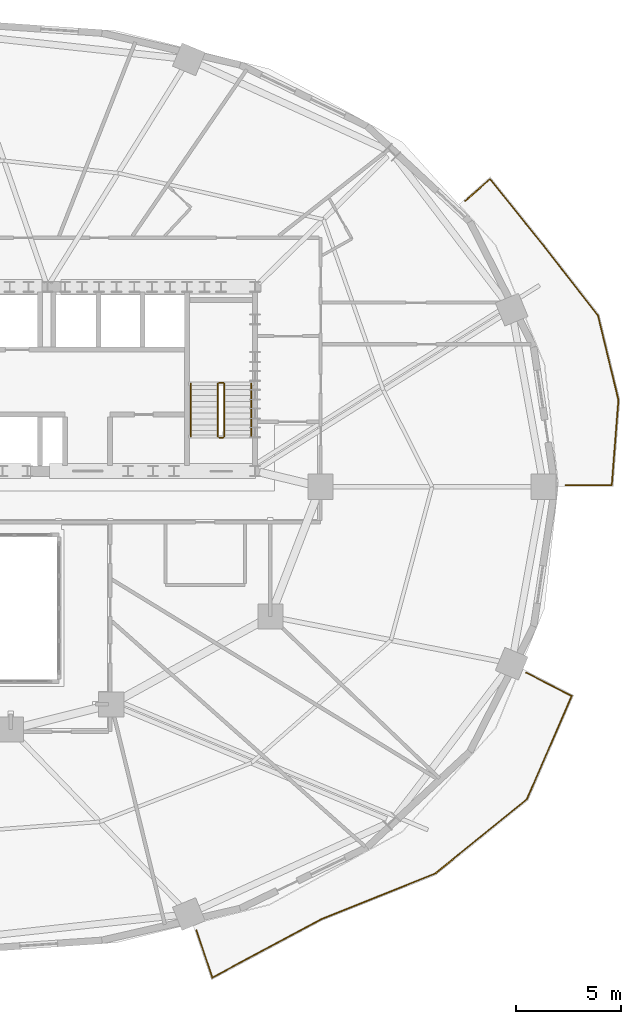
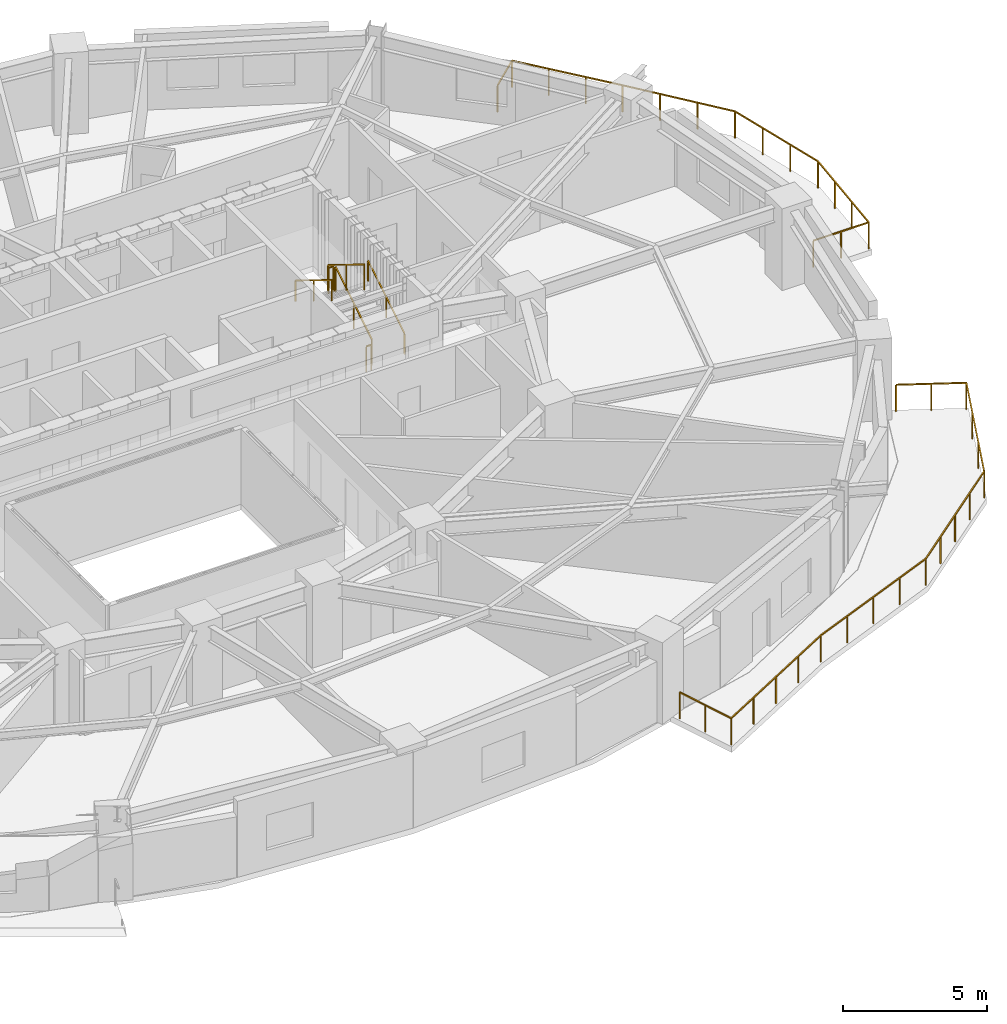
# One storey, part 14 of 14: 8 railings.
"""IFC4 building model written with IfcOpenShell, lengths in metres."""

import ifcopenshell
import ifcopenshell.guid

model = None  # the IFC model being written
_history = None  # IfcOwnerHistory: only IFC2X3 demands one
_inside = {}  # id of a spatial element -> (the spatial element, [elements in it])
_under = {}  # id of a project, library or spatial element -> (it, [spatial elements below it])
_declared = {}  # id of a project -> (the project, [libraries it declares])
_typed = {}  # id of a type object -> (the type object, [elements of that type])
_made_of = {}  # id of a material, layer set ... -> (it, [elements and type objects made of it])


def new_model(schema):
    """Start an empty IFC model of exactly this schema.

    Asked for "IFC4X3", IfcOpenShell would pick the latest addendum, in which some entities
    have other attributes; the version numbers below select the first issue.
    IFC2X3 requires an IfcOwnerHistory on every rooted entity: one is made here for all.
    """
    global model, _history
    if schema == "IFC4X3":
        model = ifcopenshell.file(schema_version=(4, 3, 0, 0))
    else:
        model = ifcopenshell.file(schema=schema)
    _inside.clear()
    _under.clear()
    _declared.clear()
    _typed.clear()
    _made_of.clear()
    _history = None
    if model.schema == "IFC2X3":
        org = make("IfcOrganization", Name="unknown")
        user = make(
            "IfcPersonAndOrganization",
            ThePerson=make("IfcPerson", FamilyName="unknown"),
            TheOrganization=org,
        )
        app = make(
            "IfcApplication",
            ApplicationDeveloper=org,
            Version="unknown",
            ApplicationFullName="unknown",
            ApplicationIdentifier="unknown",
        )
        _history = make(
            "IfcOwnerHistory",
            OwningUser=user,
            OwningApplication=app,
            ChangeAction="ADDED",
            CreationDate=0,
        )
    return model


def make(cls, **values):
    """One entity of the class cls with the attributes given. An attribute that is None is left unset."""
    return model.create_entity(
        cls, **{name: value for name, value in values.items() if value is not None}
    )


def rooted(cls, **values):
    """An entity with a GlobalId (a new one), such as an element, a storey or a relation."""
    return make(cls, GlobalId=ifcopenshell.guid.new(), OwnerHistory=_history, **values)


def si_unit(unit_type, name, prefix=None):
    """IfcSIUnit, for example si_unit("LENGTHUNIT", "METRE", prefix="MILLI")."""
    return make("IfcSIUnit", UnitType=unit_type, Prefix=prefix, Name=name)


def assignment(units):
    """IfcUnitAssignment: the units of a project."""
    return None if units is None else make("IfcUnitAssignment", Units=units)


def point(xyz):
    """IfcCartesianPoint."""
    return None if xyz is None else make("IfcCartesianPoint", Coordinates=xyz)


def direction(xyz):
    """IfcDirection."""
    return None if xyz is None else make("IfcDirection", DirectionRatios=xyz)


def frame(location, z_axis=None, x_axis=None):
    """IfcAxis2Placement3D, a coordinate frame: its origin and axes. An axis left out is left unset."""
    return make(
        "IfcAxis2Placement3D",
        Location=point(location),
        Axis=direction(z_axis),
        RefDirection=direction(x_axis),
    )


def frame_2d(location, x_axis=None):
    """IfcAxis2Placement2D, a coordinate frame in the plane: its origin and x axis."""
    return make(
        "IfcAxis2Placement2D", Location=point(location), RefDirection=direction(x_axis)
    )


def origin():
    """The frame at (0, 0, 0) with its axes left unset."""
    return frame((0.0, 0.0, 0.0))


def origin_2d():
    """The frame at (0, 0) in the plane with its x axis left unset."""
    return frame_2d((0.0, 0.0))


def place(relative_to, where):
    """IfcLocalPlacement: puts the frame where relative to a parent placement (None: the world)."""
    return make(
        "IfcLocalPlacement", PlacementRelTo=relative_to, RelativePlacement=where
    )


def context(
    kind, dimensions, precision=None, world=None, true_north=None, identifier=None
):
    """IfcGeometricRepresentationContext, for example the 3D "Model" context."""
    return make(
        "IfcGeometricRepresentationContext",
        ContextIdentifier=identifier,
        ContextType=kind,
        CoordinateSpaceDimension=dimensions,
        Precision=precision,
        WorldCoordinateSystem=world,
        TrueNorth=true_north,
    )


def subcontext(parent, identifier, kind, view, scale=None):
    """IfcGeometricRepresentationSubContext, for example "Body" below "Model"."""
    return make(
        "IfcGeometricRepresentationSubContext",
        ContextIdentifier=identifier,
        ContextType=kind,
        ParentContext=parent,
        TargetScale=scale,
        TargetView=view,
    )


def project(units=None, contexts=None):
    """IfcProject with its units and contexts."""
    return rooted(
        "IfcProject",
        Name="project",
        RepresentationContexts=contexts,
        UnitsInContext=assignment(units),
    )


def spatial(cls, under=None, at=None, **own):
    """A site, building, storey or space (cls), placed at a placement, below another one or the project."""
    s = rooted(cls, ObjectPlacement=at, **own)
    if under is not None:
        _under.setdefault(under.id(), (under, []))[1].append(s)
    return s


def profile(cls, at=None, kind="AREA", **sizes):
    """A parametric profile (cls). Its sizes go by their IFC names, for example OverallWidth=200.0."""
    return make(cls, ProfileType=kind, Position=at, **sizes)


def rectangle(**sizes):
    """IfcRectangleProfileDef."""
    return profile("IfcRectangleProfileDef", **sizes)


def extrude(swept, where, along, depth):
    """IfcExtrudedAreaSolid: the profile swept, set in the frame where, extruded along a direction by depth."""
    return make(
        "IfcExtrudedAreaSolid",
        SweptArea=swept,
        Position=where,
        ExtrudedDirection=direction(along),
        Depth=depth,
    )


def shape(context_of_items, identifier, shape_type, items):
    """IfcShapeRepresentation: the items that make up one representation, for example the "Body"."""
    return make(
        "IfcShapeRepresentation",
        ContextOfItems=context_of_items,
        RepresentationIdentifier=identifier,
        RepresentationType=shape_type,
        Items=items,
    )


def material(Name=None, Category=None):
    """IfcMaterial."""
    return make("IfcMaterial", Name=Name, Category=Category)


def made_of(thing, what):
    """Note that an element or type object is made of a material, layer set ...; save() writes the relation."""
    if what is not None:
        _made_of.setdefault(what.id(), (what, []))[1].append(thing)
    return thing


def type_object(cls, material=None, **own):
    """A type object (cls), such as IfcWallType, which elements share."""
    return made_of(rooted(cls, **own), material)


def element(
    cls,
    number,
    at=None,
    inside=None,
    cuts=None,
    type_object=None,
    material=None,
    context=None,
    identifier="Body",
    shape_type=None,
    held_by="IfcProductDefinitionShape",
    body=None,
    shapes=None,
    **own,
):
    """One element of the class cls, such as IfcWall. Its Tag is "e" and its number.

    at: its placement. inside: the storey or other place that contains it. cuts: it is an
    opening in that element (IfcRelVoidsElement). A single representation is given by context,
    identifier, shape_type and body (its items); several are given by shapes. held_by: the class
    of the entity that holds the representations. save() writes the other relations.
    """
    e = rooted(cls, Tag="e%d" % number, ObjectPlacement=at, **own)
    if body is not None:
        shapes = [shape(context, identifier, shape_type, body)]
    if shapes is not None:
        e.Representation = make(held_by, Representations=shapes)
    if inside is not None:
        _inside.setdefault(inside.id(), (inside, []))[1].append(e)
    if cuts is not None:
        rooted(
            "IfcRelVoidsElement", RelatingBuildingElement=cuts, RelatedOpeningElement=e
        )
    if type_object is not None:
        _typed.setdefault(type_object.id(), (type_object, []))[1].append(e)
    return made_of(e, material)


def aggregate(whole, parts):
    """IfcRelAggregates: a whole, such as a stair, and the parts it consists of."""
    return rooted("IfcRelAggregates", RelatingObject=whole, RelatedObjects=parts)


def save(model, path):
    """Write the relations noted so far, then the file.

    IfcRelAggregates (storeys below a building ...), IfcRelContainedInSpatialStructure (elements
    in a storey), IfcRelDefinesByType, IfcRelAssociatesMaterial and IfcRelDeclares: one each for
    every whole, place, type object, material and project.
    """
    for whole, parts in _under.values():
        aggregate(whole, parts)
    for where, things in _inside.values():
        rooted(
            "IfcRelContainedInSpatialStructure",
            RelatedElements=things,
            RelatingStructure=where,
        )
    for kind, things in _typed.values():
        rooted("IfcRelDefinesByType", RelatedObjects=things, RelatingType=kind)
    for what, things in _made_of.values():
        rooted("IfcRelAssociatesMaterial", RelatedObjects=things, RelatingMaterial=what)
    for by, libraries in _declared.values():
        rooted("IfcRelDeclares", RelatingContext=by, RelatedDefinitions=libraries)
    model.write(path)


model = new_model("IFC4")

# Units and contexts
model_context = context("Model", 3, precision=1e-05, world=origin(), true_north=direction((0.0, 1.0)))
body_context = subcontext(model_context, "Body", "Model", "MODEL_VIEW")
ifc_project = project(units=[si_unit("LENGTHUNIT", "METRE"), si_unit("AREAUNIT", "SQUARE_METRE"), si_unit("VOLUMEUNIT", "CUBIC_METRE"), si_unit("PLANEANGLEUNIT", "RADIAN"), si_unit("MASSUNIT", "GRAM", prefix="KILO")], contexts=[model_context])

# Site, building, storey
site_placement = place(None, origin())
site = spatial("IfcSite", under=ifc_project, at=site_placement, CompositionType="ELEMENT")
building_placement = place(site_placement, origin())
building = spatial("IfcBuilding", under=site, at=building_placement, Name="Haldorwick Loom Tower", CompositionType="ELEMENT")
storey_placement = place(building_placement, frame((0.0, 0.0, 95.60009765625)))
storey = spatial("IfcBuildingStorey", under=building, at=storey_placement, Name="L25", CompositionType="ELEMENT", Elevation=95.60009765625)

# Railings
ifc_material_1 = material(Name="Galvanized Steel CSA G40.21 350W", Category="steel")
railing_type_1 = type_object("IfcRailingType", Name="ARC-RLG-BAL115", PredefinedType="BALUSTRADE", material=ifc_material_1)
railing_1_placement = place(storey_placement, frame((63.02734375, 17.12060546875, 0.0)))
element("IfcRailing", 1, at=railing_1_placement, inside=storey, type_object=railing_type_1, Name="L25 Outdoor Terrace Guardrail SLB-L25-BAL_SE-1", PredefinedType="BALUSTRADE", context=body_context, shape_type="SweptSolid", body=[
    extrude(rectangle(XDim=0.048095703125, YDim=0.048095703125, at=origin_2d()), frame((0.0, 0.0, 1.1259765625), z_axis=(0.889429612892, -0.457072164663, 0.0), x_axis=(0.457072164663, 0.889429612892, 0.0)), (0.0, 0.0, 1.0), 2.43994140625),
    extrude(rectangle(XDim=0.048095703125, YDim=0.048095703125, at=origin_2d()), frame((2.170166015625, -1.115234375, 1.1259765625), z_axis=(-0.397566652573, -0.91757329776, 0.0), x_axis=(0.91757329776, -0.397566652573, 0.0)), (0.0, 0.0, 1.0), 5.375732421875),
    extrude(rectangle(XDim=0.048095703125, YDim=0.048095703125, at=origin_2d()), frame((0.032958984375, -6.0478515625, 1.1259765625), z_axis=(-0.776696226743, -0.629875361768, 0.0), x_axis=(0.629875361768, -0.776696226743, 0.0)), (0.0, 0.0, 1.0), 5.640380859375),
    extrude(rectangle(XDim=0.048095703125, YDim=0.048095703125, at=origin_2d()), frame((-4.347900390625, -9.6005859375, 1.1259765625), z_axis=(-0.928201502057, -0.372077910631, 0.0), x_axis=(0.372077910631, -0.928201502057, 0.0)), (0.0, 0.0, 1.0), 5.879150390625),
    extrude(rectangle(XDim=0.048095703125, YDim=0.048095703125, at=origin_2d()), frame((-9.804931640625, -11.7880859375, 1.1259765625), z_axis=(-0.899814107196, -0.436273506519, 0.0), x_axis=(0.436273506519, -0.899814107196, 0.0)), (0.0, 0.0, 1.0), 0.009033203125),
    extrude(rectangle(XDim=0.048095703125, YDim=0.048095703125, at=origin_2d()), frame((-9.81298828125, -11.7919921875, 1.1259765625), z_axis=(-0.881315820171, -0.472527697725, 0.0), x_axis=(0.472527697725, -0.881315820171, 0.0)), (0.0, 0.0, 1.0), 5.88330078125),
    extrude(rectangle(XDim=0.048095703125, YDim=0.048095703125, at=origin_2d()), frame((-14.998046875, -14.572021484375, 1.1259765625), z_axis=(-0.318165011084, 0.94803535046, 0.0), x_axis=(-0.94803535046, -0.318165011084, 0.0)), (0.0, 0.0, 1.0), 2.381103515625),
    extrude(rectangle(XDim=0.0419921875, YDim=0.0419921875, at=origin_2d()), origin(), (0.0, 0.0, 1.0), 1.101806640625),
    extrude(rectangle(XDim=0.0419921875, YDim=0.0419921875, at=origin_2d()), frame((1.0849609375, -0.5576171875, 0.0)), (0.0, 0.0, 1.0), 1.101806640625),
    extrude(rectangle(XDim=0.0419921875, YDim=0.0419921875, at=origin_2d()), frame((2.170166015625, -1.115234375, 0.0)), (0.0, 0.0, 1.0), 1.101806640625),
    extrude(rectangle(XDim=0.0419921875, YDim=0.0419921875, at=origin_2d()), frame((1.457763671875, -2.759521484375, 0.0)), (0.0, 0.0, 1.0), 1.101806640625),
    extrude(rectangle(XDim=0.0419921875, YDim=0.0419921875, at=origin_2d()), frame((0.745361328125, -4.403564453125, 0.0)), (0.0, 0.0, 1.0), 1.101806640625),
    extrude(rectangle(XDim=0.0419921875, YDim=0.0419921875, at=origin_2d()), frame((0.032958984375, -6.0478515625, 0.0)), (0.0, 0.0, 1.0), 1.101806640625),
    extrude(rectangle(XDim=0.0419921875, YDim=0.0419921875, at=origin_2d()), frame((-1.062255859375, -6.93603515625, 0.0)), (0.0, 0.0, 1.0), 1.101806640625),
    extrude(rectangle(XDim=0.0419921875, YDim=0.0419921875, at=origin_2d()), frame((-2.157470703125, -7.82421875, 0.0)), (0.0, 0.0, 1.0), 1.101806640625),
    extrude(rectangle(XDim=0.0419921875, YDim=0.0419921875, at=origin_2d()), frame((-3.252685546875, -8.71240234375, 0.0)), (0.0, 0.0, 1.0), 1.101806640625),
    extrude(rectangle(XDim=0.0419921875, YDim=0.0419921875, at=origin_2d()), frame((-4.347900390625, -9.6005859375, 0.0)), (0.0, 0.0, 1.0), 1.101806640625),
    extrude(rectangle(XDim=0.0419921875, YDim=0.0419921875, at=origin_2d()), frame((-5.712158203125, -10.1474609375, 0.0)), (0.0, 0.0, 1.0), 1.101806640625),
    extrude(rectangle(XDim=0.0419921875, YDim=0.0419921875, at=origin_2d()), frame((-7.076416015625, -10.6943359375, 0.0)), (0.0, 0.0, 1.0), 1.101806640625),
    extrude(rectangle(XDim=0.0419921875, YDim=0.0419921875, at=origin_2d()), frame((-8.440673828125, -11.2412109375, 0.0)), (0.0, 0.0, 1.0), 1.101806640625),
    extrude(rectangle(XDim=0.0419921875, YDim=0.0419921875, at=origin_2d()), frame((-9.804931640625, -11.7880859375, 0.0)), (0.0, 0.0, 1.0), 1.101806640625),
    extrude(rectangle(XDim=0.0419921875, YDim=0.0419921875, at=origin_2d()), frame((-11.109375, -12.487060546875, 0.0)), (0.0, 0.0, 1.0), 1.101806640625),
    extrude(rectangle(XDim=0.0419921875, YDim=0.0419921875, at=origin_2d()), frame((-12.405517578125, -13.18212890625, 0.0)), (0.0, 0.0, 1.0), 1.101806640625),
    extrude(rectangle(XDim=0.0419921875, YDim=0.0419921875, at=origin_2d()), frame((-13.70166015625, -13.876953125, 0.0)), (0.0, 0.0, 1.0), 1.101806640625),
    extrude(rectangle(XDim=0.0419921875, YDim=0.0419921875, at=origin_2d()), frame((-14.998046875, -14.572021484375, 0.0)), (0.0, 0.0, 1.0), 1.101806640625),
    extrude(rectangle(XDim=0.0419921875, YDim=0.0419921875, at=origin_2d()), frame((-15.376953125, -13.443359375, 0.0)), (0.0, 0.0, 1.0), 1.101806640625),
    extrude(rectangle(XDim=0.0419921875, YDim=0.0419921875, at=origin_2d()), frame((-15.755615234375, -12.314697265625, 0.0)), (0.0, 0.0, 1.0), 1.101806640625),
])
railing_2_placement = place(storey_placement, frame((60.118408203125, 39.65380859375, 0.0)))
element("IfcRailing", 2, at=railing_2_placement, inside=storey, type_object=railing_type_1, Name="L25 Outdoor Terrace Guardrail SLB-L25-BAL_ENE-1", PredefinedType="BALUSTRADE", context=body_context, shape_type="SweptSolid", body=[
    extrude(rectangle(XDim=0.048095703125, YDim=0.048095703125, at=origin_2d()), frame((0.0, 0.0, 1.1259765625), z_axis=(0.748032492296, 0.663662105645, 0.0), x_axis=(-0.663662105645, 0.748032492296, 0.0)), (0.0, 0.0, 1.0), 1.5771484375),
    extrude(rectangle(XDim=0.048095703125, YDim=0.048095703125, at=origin_2d()), frame((1.1796875, 1.046630859375, 1.1259765625), z_axis=(0.626349115243, -0.779542677365, 0.0), x_axis=(0.779542677365, 0.626349115243, 0.0)), (0.0, 0.0, 1.0), 4.1005859375),
    extrude(rectangle(XDim=0.048095703125, YDim=0.048095703125, at=origin_2d()), frame((3.748046875, -2.14990234375, 1.1259765625), z_axis=(0.614812335218, -0.788673438417, 0.0), x_axis=(0.788673438417, 0.614812335218, 0.0)), (0.0, 0.0, 1.0), 4.20556640625),
    extrude(rectangle(XDim=0.048095703125, YDim=0.048095703125, at=origin_2d()), frame((6.333740234375, -5.466796875, 1.1259765625), z_axis=(0.235391793372, -0.971900562616, 0.0), x_axis=(0.971900562616, 0.235391793372, 0.0)), (0.0, 0.0, 1.0), 4.1611328125),
    extrude(rectangle(XDim=0.048095703125, YDim=0.048095703125, at=origin_2d()), frame((7.313232421875, -9.510986328125, 1.1259765625), z_axis=(-0.078061651298, -0.996948533575, 0.0), x_axis=(0.996948533575, -0.078061651298, 0.0)), (0.0, 0.0, 1.0), 4.0751953125),
    extrude(rectangle(XDim=0.048095703125, YDim=0.048095703125, at=origin_2d()), frame((6.9951171875, -13.57373046875, 1.1259765625), z_axis=(-1.0, 0.0, 0.0), x_axis=(0.0, -1.0, 0.0)), (0.0, 0.0, 1.0), 2.212646484375),
    extrude(rectangle(XDim=0.0419921875, YDim=0.0419921875, at=origin_2d()), origin(), (0.0, 0.0, 1.0), 1.101806640625),
    extrude(rectangle(XDim=0.0419921875, YDim=0.0419921875, at=origin_2d()), frame((1.1796875, 1.046630859375, 0.0)), (0.0, 0.0, 1.0), 1.101806640625),
    extrude(rectangle(XDim=0.0419921875, YDim=0.0419921875, at=origin_2d()), frame((2.035888671875, -0.018798828125, 0.0)), (0.0, 0.0, 1.0), 1.101806640625),
    extrude(rectangle(XDim=0.0419921875, YDim=0.0419921875, at=origin_2d()), frame((2.891845703125, -1.08447265625, 0.0)), (0.0, 0.0, 1.0), 1.101806640625),
    extrude(rectangle(XDim=0.0419921875, YDim=0.0419921875, at=origin_2d()), frame((3.748046875, -2.14990234375, 0.0)), (0.0, 0.0, 1.0), 1.101806640625),
    extrude(rectangle(XDim=0.0419921875, YDim=0.0419921875, at=origin_2d()), frame((4.60986328125, -3.255615234375, 0.0)), (0.0, 0.0, 1.0), 1.101806640625),
    extrude(rectangle(XDim=0.0419921875, YDim=0.0419921875, at=origin_2d()), frame((5.471923828125, -4.361083984375, 0.0)), (0.0, 0.0, 1.0), 1.101806640625),
    extrude(rectangle(XDim=0.0419921875, YDim=0.0419921875, at=origin_2d()), frame((6.333740234375, -5.466796875, 0.0)), (0.0, 0.0, 1.0), 1.101806640625),
    extrude(rectangle(XDim=0.0419921875, YDim=0.0419921875, at=origin_2d()), frame((6.66015625, -6.81494140625, 0.0)), (0.0, 0.0, 1.0), 1.101806640625),
    extrude(rectangle(XDim=0.0419921875, YDim=0.0419921875, at=origin_2d()), frame((6.98681640625, -8.162841796875, 0.0)), (0.0, 0.0, 1.0), 1.101806640625),
    extrude(rectangle(XDim=0.0419921875, YDim=0.0419921875, at=origin_2d()), frame((7.313232421875, -9.510986328125, 0.0)), (0.0, 0.0, 1.0), 1.101806640625),
    extrude(rectangle(XDim=0.0419921875, YDim=0.0419921875, at=origin_2d()), frame((7.207275390625, -10.865234375, 0.0)), (0.0, 0.0, 1.0), 1.101806640625),
    extrude(rectangle(XDim=0.0419921875, YDim=0.0419921875, at=origin_2d()), frame((7.10107421875, -12.219482421875, 0.0)), (0.0, 0.0, 1.0), 1.101806640625),
    extrude(rectangle(XDim=0.0419921875, YDim=0.0419921875, at=origin_2d()), frame((6.9951171875, -13.57373046875, 0.0)), (0.0, 0.0, 1.0), 1.101806640625),
    extrude(rectangle(XDim=0.0419921875, YDim=0.0419921875, at=origin_2d()), frame((5.888671875, -13.57373046875, 0.0)), (0.0, 0.0, 1.0), 1.101806640625),
    extrude(rectangle(XDim=0.0419921875, YDim=0.0419921875, at=origin_2d()), frame((4.782470703125, -13.57373046875, 0.0)), (0.0, 0.0, 1.0), 1.101806640625),
])
ifc_material_2 = material(Name="Steel CSA G40.21 350W", Category="steel")
railing_type_2 = type_object("IfcRailingType", Name="ARC-RLG-GUARD112", PredefinedType="GUARDRAIL", material=ifc_material_2)
railing_3_placement = place(storey_placement, frame((48.60009765625, 28.39990234375, 0.17236328125)))
element("IfcRailing", 3, at=railing_3_placement, inside=storey, type_object=railing_type_2, Name="L25 ST-02 stair guard 1", PredefinedType="GUARDRAIL", context=body_context, shape_type="SweptSolid", body=[
    extrude(rectangle(XDim=0.048095703125, YDim=0.048095703125, at=origin_2d()), frame((0.0, 0.0, 1.076171875), z_axis=(0.0, 0.851400495292, 0.524516154772), x_axis=(-1.0, 0.0, 0.0)), (0.0, 0.0, 1.0), 2.9599609375),
    extrude(rectangle(XDim=0.0419921875, YDim=0.0419921875, at=origin_2d()), origin(), (0.0, 0.0, 1.0), 1.052001953125),
    extrude(rectangle(XDim=0.0419921875, YDim=0.0419921875, at=origin_2d()), frame((0.0, 1.260009765625, 0.7763671875)), (0.0, 0.0, 1.0), 1.052001953125),
    extrude(rectangle(XDim=0.0419921875, YDim=0.0419921875, at=origin_2d()), frame((0.0, 2.52001953125, 1.552490234375)), (0.0, 0.0, 1.0), 1.052001953125),
])
railing_4_placement = place(storey_placement, frame((48.550048828125, 30.969970703125, 1.724853515625)))
element("IfcRailing", 4, at=railing_4_placement, inside=storey, type_object=railing_type_2, Name="L25 ST-02 stair guard 2", PredefinedType="GUARDRAIL", context=body_context, shape_type="SweptSolid", body=[
    extrude(rectangle(XDim=0.048095703125, YDim=0.048095703125, at=origin_2d()), frame((0.0, 0.0, 1.076171875), z_axis=(-1.0, 0.0, 0.0), x_axis=(0.0, -1.0, 0.0)), (0.0, 0.0, 1.0), 0.199951171875),
    extrude(rectangle(XDim=0.0419921875, YDim=0.0419921875, at=origin_2d()), origin(), (0.0, 0.0, 1.0), 1.052001953125),
    extrude(rectangle(XDim=0.0419921875, YDim=0.0419921875, at=origin_2d()), frame((-0.199951171875, 0.0, 0.0)), (0.0, 0.0, 1.0), 1.052001953125),
])
railing_5_placement = place(storey_placement, frame((48.300048828125, 30.919921875, 1.8974609375)))
element("IfcRailing", 5, at=railing_5_placement, inside=storey, type_object=railing_type_2, Name="L25 ST-02 stair guard 3", PredefinedType="GUARDRAIL", context=body_context, shape_type="SweptSolid", body=[
    extrude(rectangle(XDim=0.048095703125, YDim=0.048095703125, at=origin_2d()), frame((0.0, 0.0, 1.076171875), z_axis=(0.0, -0.851400495292, 0.524516154772), x_axis=(1.0, 0.0, 0.0)), (0.0, 0.0, 1.0), 2.9599609375),
    extrude(rectangle(XDim=0.0419921875, YDim=0.0419921875, at=origin_2d()), origin(), (0.0, 0.0, 1.0), 1.052001953125),
    extrude(rectangle(XDim=0.0419921875, YDim=0.0419921875, at=origin_2d()), frame((0.0, -1.260009765625, 0.7763671875)), (0.0, 0.0, 1.0), 1.052001953125),
    extrude(rectangle(XDim=0.0419921875, YDim=0.0419921875, at=origin_2d()), frame((0.0, -2.52001953125, 1.552490234375)), (0.0, 0.0, 1.0), 1.052001953125),
])
railing_6_placement = place(storey_placement, frame((48.550048828125, 28.35009765625, 0.0)))
element("IfcRailing", 6, at=railing_6_placement, inside=storey, type_object=railing_type_2, Name="L25 ST-02 stair guard 4", PredefinedType="GUARDRAIL", context=body_context, shape_type="SweptSolid", body=[
    extrude(rectangle(XDim=0.048095703125, YDim=0.048095703125, at=origin_2d()), frame((0.0, 0.0, 1.076171875), z_axis=(-1.0, 0.0, 0.0), x_axis=(0.0, -1.0, 0.0)), (0.0, 0.0, 1.0), 0.199951171875),
    extrude(rectangle(XDim=0.0419921875, YDim=0.0419921875, at=origin_2d()), origin(), (0.0, 0.0, 1.0), 1.052001953125),
    extrude(rectangle(XDim=0.0419921875, YDim=0.0419921875, at=origin_2d()), frame((-0.199951171875, 0.0, 0.0)), (0.0, 0.0, 1.0), 1.052001953125),
])
railing_type_3 = type_object("IfcRailingType", Name="ARC-RLG-HAND092", PredefinedType="HANDRAIL", material=ifc_material_2)
railing_7_placement = place(storey_placement, frame((49.89990234375, 28.39990234375, 0.17236328125)))
element("IfcRailing", 7, at=railing_7_placement, inside=storey, type_object=railing_type_3, Name="L25 ST-02 stair handrail 1", PredefinedType="HANDRAIL", context=body_context, shape_type="SweptSolid", body=[
    extrude(rectangle(XDim=0.048095703125, YDim=0.048095703125, at=origin_2d()), frame((0.0, 0.0, 0.8759765625), z_axis=(0.0, 0.851400495292, 0.524516154772), x_axis=(-1.0, 0.0, 0.0)), (0.0, 0.0, 1.0), 2.9599609375),
    extrude(rectangle(XDim=0.0419921875, YDim=0.0419921875, at=origin_2d()), origin(), (0.0, 0.0, 1.0), 0.851806640625),
    extrude(rectangle(XDim=0.0419921875, YDim=0.0419921875, at=origin_2d()), frame((0.0, 1.260009765625, 0.7763671875)), (0.0, 0.0, 1.0), 0.851806640625),
    extrude(rectangle(XDim=0.0419921875, YDim=0.0419921875, at=origin_2d()), frame((0.0, 2.52001953125, 1.552490234375)), (0.0, 0.0, 1.0), 0.851806640625),
])
railing_8_placement = place(storey_placement, frame((47.0, 30.919921875, 1.8974609375)))
element("IfcRailing", 8, at=railing_8_placement, inside=storey, type_object=railing_type_3, Name="L25 ST-02 stair handrail 2", PredefinedType="HANDRAIL", context=body_context, shape_type="SweptSolid", body=[
    extrude(rectangle(XDim=0.048095703125, YDim=0.048095703125, at=origin_2d()), frame((0.0, 0.0, 0.8759765625), z_axis=(0.0, -0.851400495292, 0.524516154772), x_axis=(1.0, 0.0, 0.0)), (0.0, 0.0, 1.0), 2.9599609375),
    extrude(rectangle(XDim=0.0419921875, YDim=0.0419921875, at=origin_2d()), origin(), (0.0, 0.0, 1.0), 0.851806640625),
    extrude(rectangle(XDim=0.0419921875, YDim=0.0419921875, at=origin_2d()), frame((0.0, -1.260009765625, 0.7763671875)), (0.0, 0.0, 1.0), 0.851806640625),
    extrude(rectangle(XDim=0.0419921875, YDim=0.0419921875, at=origin_2d()), frame((0.0, -2.52001953125, 1.552490234375)), (0.0, 0.0, 1.0), 0.851806640625),
])

save(model, "model.ifc")
